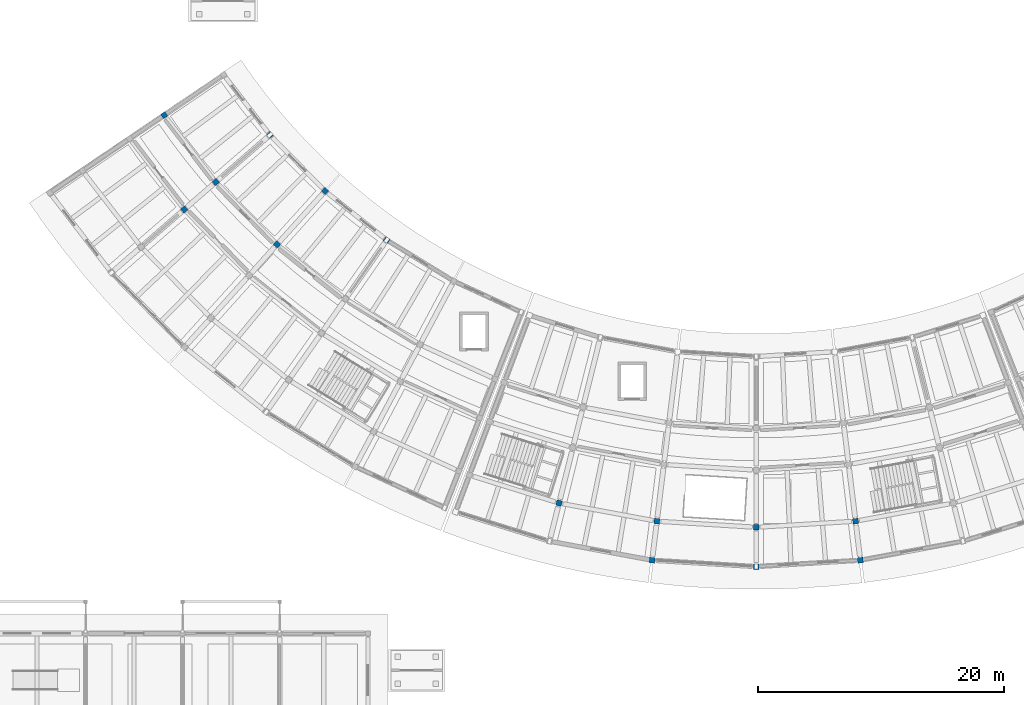
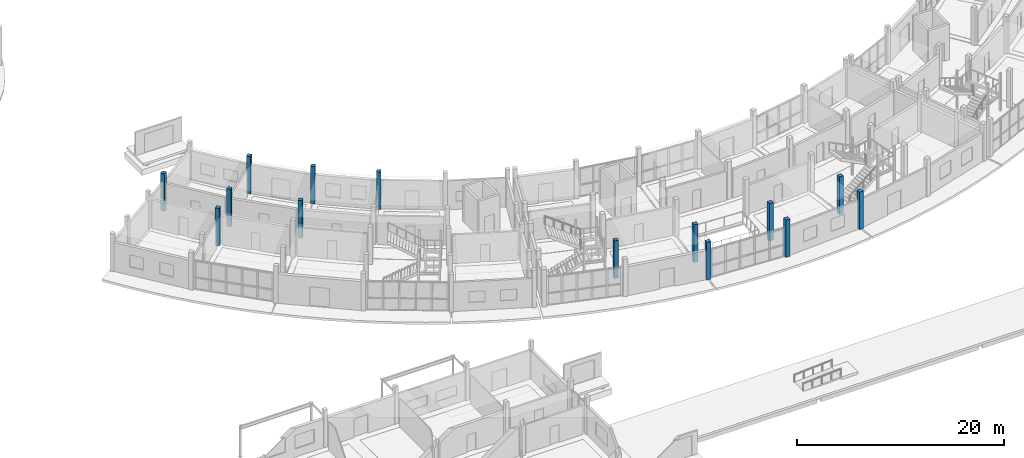
# One storey, part 8 of 92: 14 columns.
"""IFC4 building model written with IfcOpenShell, lengths in metres."""

from ifc_helpers import new_model, si_unit, direction, frame, origin, origin_2d, place, context, subcontext, project, spatial, rectangle, extrude, material, material_profile, profile_set, type_object, element, save


model = new_model("IFC4")

# Units and contexts
model_context = context("Model", 3, precision=1e-05, world=origin(), true_north=direction((0.0, 1.0)))
body_context = subcontext(model_context, "Body", "Model", "MODEL_VIEW")
ifc_project = project(units=[si_unit("LENGTHUNIT", "METRE"), si_unit("AREAUNIT", "SQUARE_METRE"), si_unit("VOLUMEUNIT", "CUBIC_METRE"), si_unit("PLANEANGLEUNIT", "RADIAN"), si_unit("MASSUNIT", "GRAM", prefix="KILO")], contexts=[model_context])

# Site, building, storey
site_placement = place(None, origin())
site = spatial("IfcSite", under=ifc_project, at=site_placement, CompositionType="ELEMENT")
building_placement = place(site_placement, origin())
building = spatial("IfcBuilding", under=site, at=building_placement, Name="Caldaven Crescent School", CompositionType="ELEMENT")
storey_placement = place(building_placement, origin())
storey = spatial("IfcBuildingStorey", under=building, at=storey_placement, Name="L00", CompositionType="ELEMENT", Elevation=0.0)

# Columns
ifc_material = material(Name="Glulam MLE24h (GL28h)", Category="wood")
ifc_material_profile_1 = material_profile(ifc_material, rectangle(XDim=0.419921875, YDim=0.419921875, at=origin_2d()), Name="MLE 420x420")
ifc_profile_set_1 = profile_set([ifc_material_profile_1], Name="Glulam MLE24h (GL28h)")
column_type_1 = type_object("IfcColumnType", Name="COL-GL42", PredefinedType="COLUMN", material=ifc_profile_set_1)
for number, where, z_axis, x_axis, name in (
    (1, (39.801025390625, 63.201171875, 0.0), (0.0, 0.0, 1.0), (-0.826786154745, -0.562516359159, 0.0), "COL-V4W-L00-00-1"),
    (2, (48.41552734375, 61.589599609375, 0.0), (0.0, 0.0, 1.0), (-0.754709580223, -0.656059028991, 0.0), "COL-V4W-L00-01-0"),
    (3, (44.00048828125, 57.751708984375, 0.0), (0.0, 0.0, 1.0), (-0.754709580223, -0.656059028991, 0.0), "COL-V4W-L00-01-1"),
    (4, (41.434326171875, 55.521240234375, 0.0), (0.0, 0.0, 1.0), (-0.754709580223, -0.656059028991, 0.0), "COL-V4W-L00-01-2"),
    (5, (52.904052734375, 57.02197265625, 0.0), (0.0, 0.0, 1.0), (-0.669130606359, -0.743144825477, 0.0), "COL-V4W-L00-02-0"),
    (6, (48.98974609375, 52.674560546875, 0.0), (0.0, 0.0, 1.0), (-0.669130606359, -0.743144825477, 0.0), "COL-V4W-L00-02-1"),
    (7, (57.916015625, 53.035400390625, 0.0), (0.0, 0.0, 1.0), (-0.573576436351, -0.819152044289, 0.0), "COL-V4W-L00-03-0"),
):
    element("IfcColumn", number, at=place(storey_placement, frame(where, z_axis=z_axis, x_axis=x_axis)), inside=storey, type_object=column_type_1, Name=name, PredefinedType="COLUMN", context=body_context, shape_type="SweptSolid", body=[
        extrude(rectangle(XDim=0.419921875, YDim=0.419921875, at=origin_2d()), origin(), (0.0, 0.0, 1.0), 4.419921875),
    ])
ifc_material_profile_2 = material_profile(ifc_material, rectangle(XDim=0.449951171875, YDim=0.449951171875, at=origin_2d()), Name="MLE 450x450")
ifc_profile_set_2 = profile_set([ifc_material_profile_2], Name="Glulam MLE24h (GL28h)")
column_type_2 = type_object("IfcColumnType", Name="COL-GL45", PredefinedType="COLUMN", material=ifc_profile_set_2)
for number, where, z_axis, x_axis, name in (
    (8, (71.948486328125, 31.620849609375, 0.0), (0.0, 0.0, 1.0), (-0.2419218956, -0.970295726276, 0.0), "COL-V5-L00-01-3"),
    (9, (79.9140625, 30.14453125, 0.0), (0.0, 0.0, 1.0), (-0.121869343405, -0.992546151641, 0.0), "COL-V5-L00-02-3"),
    (10, (79.52392578125, 26.968505859375, 0.0), (0.0, 0.0, 1.0), (-0.121869343405, -0.992546151641, 0.0), "COL-V5-L00-02-4"),
    (11, (88.0, 29.64990234375, 0.0), (0.0, 0.0, 1.0), (0.0, -1.0, 0.0), "COL-V5-L00-03-3"),
    (12, (88.0, 26.449951171875, 0.0), (0.0, 0.0, 1.0), (0.0, -1.0, 0.0), "COL-V5-L00-03-4"),
    (13, (96.0859375, 30.14453125, 0.0), (0.0, 0.0, 1.0), (0.121869343405, -0.992546151641, 0.0), "COL-V5-L00-04-3"),
    (14, (96.47607421875, 26.968505859375, 0.0), (0.0, 0.0, 1.0), (0.121869343405, -0.992546151641, 0.0), "COL-V5-L00-04-4"),
):
    element("IfcColumn", number, at=place(storey_placement, frame(where, z_axis=z_axis, x_axis=x_axis)), inside=storey, type_object=column_type_2, Name=name, PredefinedType="COLUMN", context=body_context, shape_type="SweptSolid", body=[
        extrude(rectangle(XDim=0.449951171875, YDim=0.449951171875, at=origin_2d()), origin(), (0.0, 0.0, 1.0), 4.419921875),
    ])

save(model, "model.ifc")
